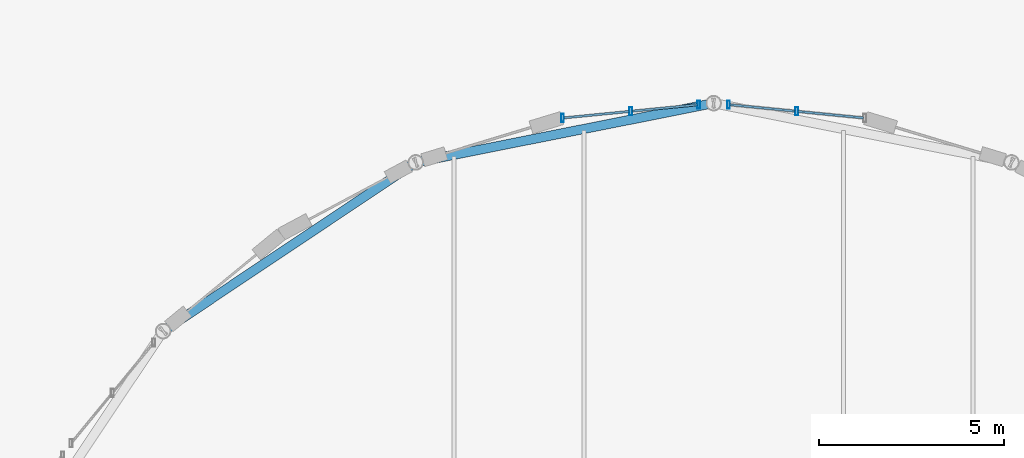
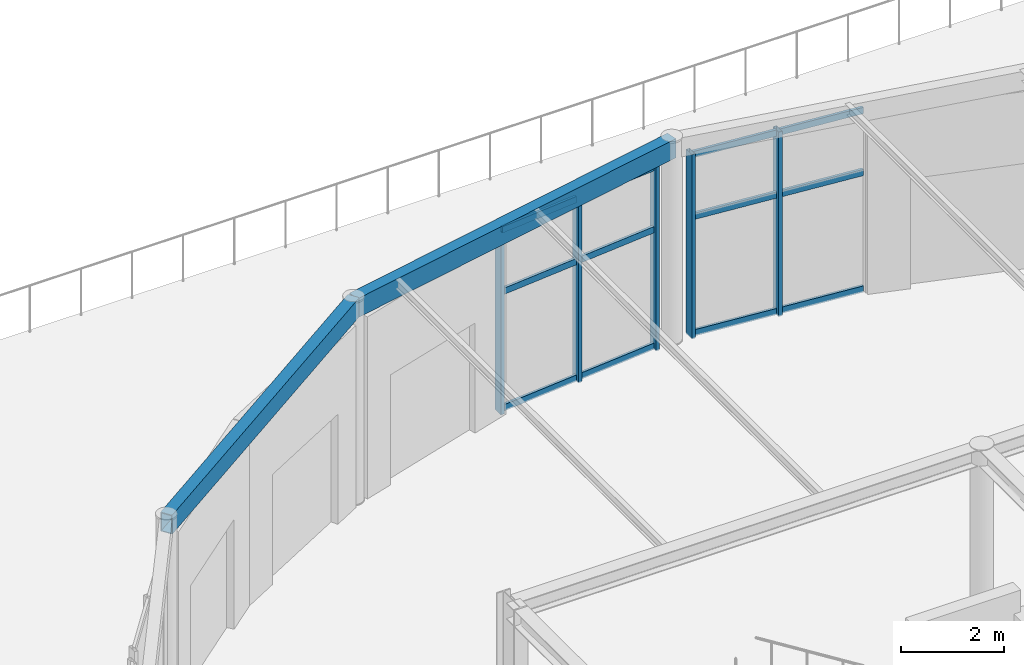
# One storey, part 69 of 143: 17 members, 2 beams, 2 elements without a shape of their own.
"""IFC4 building model written with IfcOpenShell, lengths in metres."""

from ifc_helpers import new_model, si_unit, direction, frame, origin, origin_2d, place, context, subcontext, project, spatial, hollow_rectangle, extrude, material, layer, layer_set, material_profile, profile_set, type_object, element, aggregate, save


model = new_model("IFC4")

# Units and contexts
model_context = context("Model", 3, precision=1e-05, world=origin(), true_north=direction((0.0, 1.0)))
body_context = subcontext(model_context, "Body", "Model", "MODEL_VIEW")
ifc_project = project(units=[si_unit("LENGTHUNIT", "METRE"), si_unit("AREAUNIT", "SQUARE_METRE"), si_unit("VOLUMEUNIT", "CUBIC_METRE"), si_unit("PLANEANGLEUNIT", "RADIAN"), si_unit("MASSUNIT", "GRAM", prefix="KILO")], contexts=[model_context])

# Site, building, storey
site_placement = place(None, origin())
site = spatial("IfcSite", under=ifc_project, at=site_placement, CompositionType="ELEMENT")
building_placement = place(site_placement, origin())
building = spatial("IfcBuilding", under=site, at=building_placement, Name="Marlcrest Central Station", CompositionType="ELEMENT")
storey_placement = place(building_placement, frame((0.0, 0.0, 4.800048828125)))
storey = spatial("IfcBuildingStorey", under=building, at=storey_placement, Name="L01", CompositionType="ELEMENT", Elevation=4.800048828125)

# Curtain wall, members
ifc_material_1 = material(Name="Anodised aluminium and hurricane laminated glass", Category="aluminium")
ifc_layer = layer(ifc_material_1, 0.219970703125, Name="CW-U1")
ifc_layer_set = layer_set([ifc_layer], Name="Anodised aluminium and hurricane laminated glass")
curtain_wall_type = type_object("IfcCurtainWallType", Name="CW-U1", PredefinedType="USERDEFINED", material=ifc_layer_set)
curtain_wall_1_placement = place(storey_placement, origin())
curtain_wall_1 = element("IfcCurtainWall", 1, at=curtain_wall_1_placement, inside=storey, type_object=curtain_wall_type, Name="cw-L01-0061", ObjectType="UNITISED_CURTAIN_WALL", PredefinedType="USERDEFINED")
ifc_material_2 = material(Name="Anodised aluminium 6063-T6", Category="aluminium")
ifc_material_profile_1 = material_profile(ifc_material_2, hollow_rectangle(XDim=0.080078125, YDim=0.219970703125, WallThickness=0.006103515625, at=origin_2d()), Name="AA-RHS 220x80x6")
ifc_profile_set_1 = profile_set([ifc_material_profile_1], Name="Anodised aluminium 6063-T6")
member_type_1 = type_object("IfcMemberType", Name="ML-01", PredefinedType="MULLION", material=ifc_profile_set_1)
member_1_placement = place(storey_placement, frame((103.923583984375, 131.097900390625, -0.030029296875), z_axis=(0.0, 0.0, 1.0), x_axis=(1.0, 0.0, 0.0)))
member_1 = element("IfcMember", 2, at=member_1_placement, type_object=member_type_1, Name="cw-L01-0061-ml-0", PredefinedType="MULLION", context=body_context, shape_type="SweptSolid", body=[
    extrude(hollow_rectangle(XDim=0.080078125, YDim=0.219970703125, WallThickness=0.006103515625, at=origin_2d()), origin(), (0.0, 0.0, 1.0), 4.35986328125),
])
member_2_placement = place(storey_placement, frame((105.7607421875, 131.279296875, -0.030029296875), z_axis=(0.0, 0.0, 1.0), x_axis=(1.0, 0.0, 0.0)))
member_2 = element("IfcMember", 3, at=member_2_placement, type_object=member_type_1, Name="cw-L01-0061-ml-1", PredefinedType="MULLION", context=body_context, shape_type="SweptSolid", body=[
    extrude(hollow_rectangle(XDim=0.080078125, YDim=0.219970703125, WallThickness=0.006103515625, at=origin_2d()), origin(), (0.0, 0.0, 1.0), 4.35986328125),
])
member_3_placement = place(storey_placement, frame((107.597900390625, 131.46044921875, -0.030029296875), z_axis=(0.0, 0.0, 1.0), x_axis=(1.0, 0.0, 0.0)))
member_3 = element("IfcMember", 4, at=member_3_placement, type_object=member_type_1, Name="cw-L01-0061-ml-2", PredefinedType="MULLION", context=body_context, shape_type="SweptSolid", body=[
    extrude(hollow_rectangle(XDim=0.080078125, YDim=0.219970703125, WallThickness=0.006103515625, at=origin_2d()), origin(), (0.0, 0.0, 1.0), 4.35986328125),
])

curtain_wall_2_placement = place(storey_placement, origin())
curtain_wall_2 = element("IfcCurtainWall", 5, at=curtain_wall_2_placement, inside=storey, type_object=curtain_wall_type, Name="cw-L01-0062", ObjectType="UNITISED_CURTAIN_WALL", PredefinedType="USERDEFINED")
member_4_placement = place(storey_placement, frame((108.402099609375, 131.46044921875, -0.030029296875), z_axis=(0.0, 0.0, 1.0), x_axis=(1.0, 0.0, 0.0)))
member_4 = element("IfcMember", 6, at=member_4_placement, type_object=member_type_1, Name="cw-L01-0062-ml-0", PredefinedType="MULLION", context=body_context, shape_type="SweptSolid", body=[
    extrude(hollow_rectangle(XDim=0.080078125, YDim=0.219970703125, WallThickness=0.006103515625, at=origin_2d()), origin(), (0.0, 0.0, 1.0), 4.35986328125),
])
member_5_placement = place(storey_placement, frame((110.2392578125, 131.279296875, -0.030029296875), z_axis=(0.0, 0.0, 1.0), x_axis=(1.0, 0.0, 0.0)))
member_5 = element("IfcMember", 7, at=member_5_placement, type_object=member_type_1, Name="cw-L01-0062-ml-1", PredefinedType="MULLION", context=body_context, shape_type="SweptSolid", body=[
    extrude(hollow_rectangle(XDim=0.080078125, YDim=0.219970703125, WallThickness=0.006103515625, at=origin_2d()), origin(), (0.0, 0.0, 1.0), 4.35986328125),
])

# Beams
ifc_material_3 = material(Name="Steel S355", Category="steel")
ifc_material_profile_2 = material_profile(ifc_material_3, hollow_rectangle(XDim=0.25, YDim=0.449951171875, WallThickness=0.01611328125, at=origin_2d()), Name="RHS 450x250x16")
ifc_profile_set_2 = profile_set([ifc_material_profile_2], Name="Steel S355")
beam_type = type_object("IfcBeamType", Name="SP-02", PredefinedType="SPANDREL", material=ifc_profile_set_2)
beam_1_placement = place(storey_placement, frame((93.15087890625, 125.34912109375, 4.58984375), z_axis=(0.831508991937, 0.55551129271, 0.0), x_axis=(-0.55551129271, 0.831508991937, 0.0)))
element("IfcBeam", 8, at=beam_1_placement, inside=storey, type_object=beam_type, Name="bm-SP-02-L01-01460", PredefinedType="SPANDREL", context=body_context, shape_type="SweptSolid", body=[
    extrude(hollow_rectangle(XDim=0.25, YDim=0.449951171875, WallThickness=0.01611328125, at=origin_2d()), origin(), (0.0, 0.0, 1.0), 8.19384765625),
])
beam_2_placement = place(storey_placement, frame((99.964111328125, 129.90087890625, 4.58984375), z_axis=(0.980769316421, 0.19517056122, 0.0), x_axis=(-0.19517056122, 0.980769316421, 0.0)))
element("IfcBeam", 9, at=beam_2_placement, inside=storey, type_object=beam_type, Name="bm-SP-02-L01-01461", PredefinedType="SPANDREL", context=body_context, shape_type="SweptSolid", body=[
    extrude(hollow_rectangle(XDim=0.25, YDim=0.449951171875, WallThickness=0.01611328125, at=origin_2d()), origin(), (0.0, 0.0, 1.0), 8.193359375),
])

# Member
ifc_material_profile_3 = material_profile(ifc_material_2, hollow_rectangle(XDim=0.06005859375, YDim=0.14990234375, WallThickness=0.00390625, at=origin_2d()), Name="AA-RHS 150x60x4")
ifc_profile_set_3 = profile_set([ifc_material_profile_3], Name="Anodised aluminium 6063-T6")
member_type_2 = type_object("IfcMemberType", Name="TR-01", PredefinedType="USERDEFINED", material=ifc_profile_set_3)
member_6_placement = place(storey_placement, frame((103.961181640625, 131.101806640625, 0.0400390625), z_axis=(0.995180877968, 0.098056209013, 0.0), x_axis=(-0.098056209013, 0.995180877968, 0.0)))
member_6 = element("IfcMember", 10, at=member_6_placement, type_object=member_type_2, Name="cw-L01-0061-tr-0-sill", ObjectType="TRANSOM", PredefinedType="USERDEFINED", context=body_context, shape_type="SweptSolid", body=[
    extrude(hollow_rectangle(XDim=0.06005859375, YDim=0.14990234375, WallThickness=0.00390625, at=origin_2d()), origin(), (0.0, 0.0, 1.0), 1.770263671875),
])

member_7_placement = place(storey_placement, frame((103.961181640625, 131.101806640625, 2.794921875), z_axis=(0.995180877968, 0.098056209013, 0.0), x_axis=(-0.098056209013, 0.995180877968, 0.0)))
member_7 = element("IfcMember", 11, at=member_7_placement, type_object=member_type_2, Name="cw-L01-0061-tr-0-mid", ObjectType="TRANSOM", PredefinedType="USERDEFINED", context=body_context, shape_type="SweptSolid", body=[
    extrude(hollow_rectangle(XDim=0.06005859375, YDim=0.14990234375, WallThickness=0.00390625, at=origin_2d()), origin(), (0.0, 0.0, 1.0), 1.770263671875),
])

member_8_placement = place(storey_placement, frame((103.961181640625, 131.101806640625, 4.260009765625), z_axis=(0.995180877968, 0.098056209013, 0.0), x_axis=(-0.098056209013, 0.995180877968, 0.0)))
member_8 = element("IfcMember", 12, at=member_8_placement, type_object=member_type_2, Name="cw-L01-0061-tr-0-head", ObjectType="TRANSOM", PredefinedType="USERDEFINED", context=body_context, shape_type="SweptSolid", body=[
    extrude(hollow_rectangle(XDim=0.06005859375, YDim=0.14990234375, WallThickness=0.00390625, at=origin_2d()), origin(), (0.0, 0.0, 1.0), 1.770263671875),
])

member_9_placement = place(storey_placement, frame((105.798583984375, 131.282958984375, 0.0400390625), z_axis=(0.995179551658, 0.098069668916, 0.0), x_axis=(-0.098069668916, 0.995179551658, 0.0)))
member_9 = element("IfcMember", 13, at=member_9_placement, type_object=member_type_2, Name="cw-L01-0061-tr-1-sill", ObjectType="TRANSOM", PredefinedType="USERDEFINED", context=body_context, shape_type="SweptSolid", body=[
    extrude(hollow_rectangle(XDim=0.06005859375, YDim=0.14990234375, WallThickness=0.00390625, at=origin_2d()), origin(), (0.0, 0.0, 1.0), 1.77001953125),
])

member_10_placement = place(storey_placement, frame((105.798583984375, 131.282958984375, 2.794921875), z_axis=(0.995179551658, 0.098069668916, 0.0), x_axis=(-0.098069668916, 0.995179551658, 0.0)))
member_10 = element("IfcMember", 14, at=member_10_placement, type_object=member_type_2, Name="cw-L01-0061-tr-1-mid", ObjectType="TRANSOM", PredefinedType="USERDEFINED", context=body_context, shape_type="SweptSolid", body=[
    extrude(hollow_rectangle(XDim=0.06005859375, YDim=0.14990234375, WallThickness=0.00390625, at=origin_2d()), origin(), (0.0, 0.0, 1.0), 1.77001953125),
])

member_11_placement = place(storey_placement, frame((105.798583984375, 131.282958984375, 4.260009765625), z_axis=(0.995179551658, 0.098069668916, 0.0), x_axis=(-0.098069668916, 0.995179551658, 0.0)))
member_11 = element("IfcMember", 15, at=member_11_placement, type_object=member_type_2, Name="cw-L01-0061-tr-1-head", ObjectType="TRANSOM", PredefinedType="USERDEFINED", context=body_context, shape_type="SweptSolid", body=[
    extrude(hollow_rectangle(XDim=0.06005859375, YDim=0.14990234375, WallThickness=0.00390625, at=origin_2d()), origin(), (0.0, 0.0, 1.0), 1.77001953125),
])

aggregate(curtain_wall_1, [member_1, member_2, member_3, member_6, member_7, member_8, member_9, member_10, member_11])

member_12_placement = place(storey_placement, frame((108.43994140625, 131.45654296875, 0.0400390625), z_axis=(0.995179551658, -0.098069668916, 0.0), x_axis=(0.098069668916, 0.995179551658, 0.0)))
member_12 = element("IfcMember", 16, at=member_12_placement, type_object=member_type_2, Name="cw-L01-0062-tr-0-sill", ObjectType="TRANSOM", PredefinedType="USERDEFINED", context=body_context, shape_type="SweptSolid", body=[
    extrude(hollow_rectangle(XDim=0.06005859375, YDim=0.14990234375, WallThickness=0.00390625, at=origin_2d()), origin(), (0.0, 0.0, 1.0), 1.77001953125),
])

member_13_placement = place(storey_placement, frame((108.43994140625, 131.45654296875, 2.794921875), z_axis=(0.995179551658, -0.098069668916, 0.0), x_axis=(0.098069668916, 0.995179551658, 0.0)))
member_13 = element("IfcMember", 17, at=member_13_placement, type_object=member_type_2, Name="cw-L01-0062-tr-0-mid", ObjectType="TRANSOM", PredefinedType="USERDEFINED", context=body_context, shape_type="SweptSolid", body=[
    extrude(hollow_rectangle(XDim=0.06005859375, YDim=0.14990234375, WallThickness=0.00390625, at=origin_2d()), origin(), (0.0, 0.0, 1.0), 1.77001953125),
])

member_14_placement = place(storey_placement, frame((108.43994140625, 131.45654296875, 4.260009765625), z_axis=(0.995179551658, -0.098069668916, 0.0), x_axis=(0.098069668916, 0.995179551658, 0.0)))
member_14 = element("IfcMember", 18, at=member_14_placement, type_object=member_type_2, Name="cw-L01-0062-tr-0-head", ObjectType="TRANSOM", PredefinedType="USERDEFINED", context=body_context, shape_type="SweptSolid", body=[
    extrude(hollow_rectangle(XDim=0.06005859375, YDim=0.14990234375, WallThickness=0.00390625, at=origin_2d()), origin(), (0.0, 0.0, 1.0), 1.77001953125),
])

member_15_placement = place(storey_placement, frame((110.277099609375, 131.275390625, 0.0400390625), z_axis=(0.995180877968, -0.098056209013, 0.0), x_axis=(0.098056209013, 0.995180877968, 0.0)))
member_15 = element("IfcMember", 19, at=member_15_placement, type_object=member_type_2, Name="cw-L01-0062-tr-1-sill", ObjectType="TRANSOM", PredefinedType="USERDEFINED", context=body_context, shape_type="SweptSolid", body=[
    extrude(hollow_rectangle(XDim=0.06005859375, YDim=0.14990234375, WallThickness=0.00390625, at=origin_2d()), origin(), (0.0, 0.0, 1.0), 1.770263671875),
])

member_16_placement = place(storey_placement, frame((110.277099609375, 131.275390625, 2.794921875), z_axis=(0.995180877968, -0.098056209013, 0.0), x_axis=(0.098056209013, 0.995180877968, 0.0)))
member_16 = element("IfcMember", 20, at=member_16_placement, type_object=member_type_2, Name="cw-L01-0062-tr-1-mid", ObjectType="TRANSOM", PredefinedType="USERDEFINED", context=body_context, shape_type="SweptSolid", body=[
    extrude(hollow_rectangle(XDim=0.06005859375, YDim=0.14990234375, WallThickness=0.00390625, at=origin_2d()), origin(), (0.0, 0.0, 1.0), 1.770263671875),
])

member_17_placement = place(storey_placement, frame((110.277099609375, 131.275390625, 4.260009765625), z_axis=(0.995180877968, -0.098056209013, 0.0), x_axis=(0.098056209013, 0.995180877968, 0.0)))
member_17 = element("IfcMember", 21, at=member_17_placement, type_object=member_type_2, Name="cw-L01-0062-tr-1-head", ObjectType="TRANSOM", PredefinedType="USERDEFINED", context=body_context, shape_type="SweptSolid", body=[
    extrude(hollow_rectangle(XDim=0.06005859375, YDim=0.14990234375, WallThickness=0.00390625, at=origin_2d()), origin(), (0.0, 0.0, 1.0), 1.770263671875),
])

aggregate(curtain_wall_2, [member_4, member_5, member_12, member_13, member_14, member_15, member_16, member_17])

save(model, "model.ifc")
